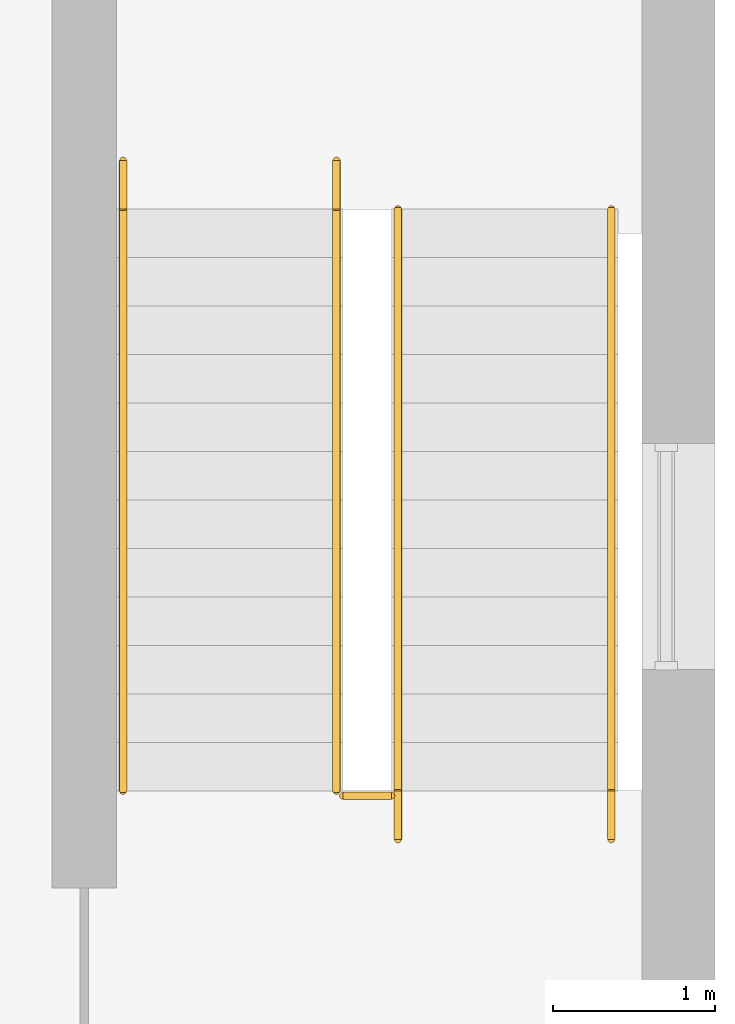
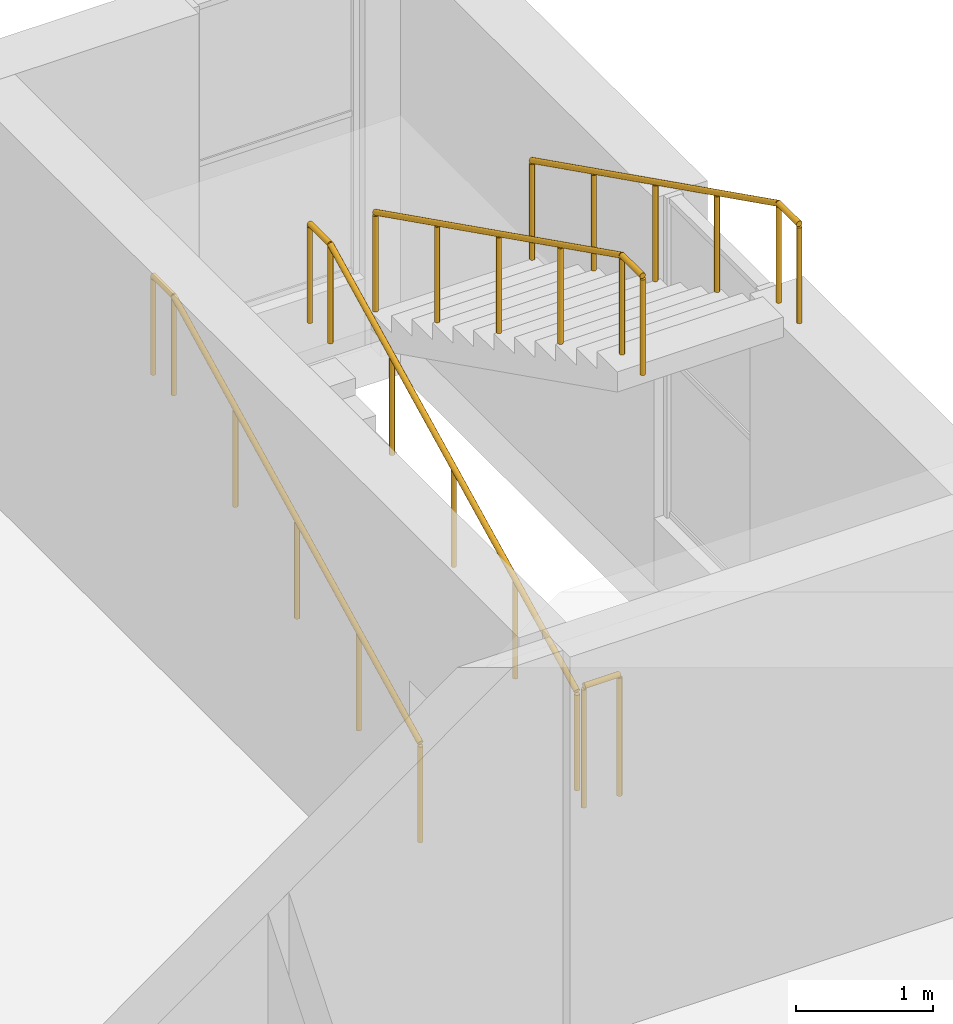
# One storey, part 94 of 94: 5 railings.
"""IFC4 building model written with IfcOpenShell, lengths in metres."""

from ifc_helpers import new_model, si_unit, direction, frame, origin, origin_2d, place, context, subcontext, project, spatial, circle, extrude, material, type_object, element, save


model = new_model("IFC4")

# Units and contexts
model_context = context("Model", 3, precision=1e-05, world=origin(), true_north=direction((0.0, 1.0)))
body_context = subcontext(model_context, "Body", "Model", "MODEL_VIEW")
ifc_project = project(units=[si_unit("LENGTHUNIT", "METRE"), si_unit("AREAUNIT", "SQUARE_METRE"), si_unit("VOLUMEUNIT", "CUBIC_METRE"), si_unit("PLANEANGLEUNIT", "RADIAN"), si_unit("MASSUNIT", "GRAM", prefix="KILO")], contexts=[model_context])

# Site, building, storey
site_placement = place(None, origin())
site = spatial("IfcSite", under=ifc_project, at=site_placement, CompositionType="ELEMENT")
building_placement = place(site_placement, origin())
building = spatial("IfcBuilding", under=site, at=building_placement, Name="Yavir Park General Hospital", CompositionType="ELEMENT")
storey_placement = place(building_placement, frame((0.0, 0.0, 4.5)))
storey = spatial("IfcBuildingStorey", under=building, at=storey_placement, Name="L01", CompositionType="ELEMENT", Elevation=4.5)

# Railings
ifc_material_1 = material(Name="Steel balustrade with infill rods", Category="steel")
railing_type_1 = type_object("IfcRailingType", Name="Stair guard, steel balustrade 1100 mm", PredefinedType="GUARDRAIL", material=ifc_material_1)
railing_placement = place(storey_placement, frame((166.0, 111.570068359375, 0.0)))
element("IfcRailing", 1, at=railing_placement, inside=storey, type_object=railing_type_1, Name="Stair well guard ES3 L01", PredefinedType="GUARDRAIL", context=body_context, shape_type="SweptSolid", body=[
    extrude(circle(Radius=0.02392578125, at=origin_2d()), frame((0.0, 0.0, 1.076171875), z_axis=(1.0, 0.0, 0.0), x_axis=(0.0, 1.0, 0.0)), (0.0, 0.0, 1.0), 0.300048828125),
    extrude(circle(Radius=0.02099609375, at=origin_2d()), origin(), (0.0, 0.0, 1.0), 1.052001953125),
    extrude(circle(Radius=0.02099609375, at=origin_2d()), frame((0.300048828125, 0.0, 0.0)), (0.0, 0.0, 1.0), 1.052001953125),
])
ifc_material_2 = material(Name="Stainless steel tube 48 mm", Category="steel")
railing_type_2 = type_object("IfcRailingType", Name="Stair handrail, steel tube, 900 mm above the nosings", PredefinedType="HANDRAIL", material=ifc_material_2)
for number, where, name in (
    (2, (164.639892578125, 111.60009765625, 0.14990234375), "Handrail ES3 L01 1"),
    (3, (165.9599609375, 111.60009765625, 0.14990234375), "Handrail ES3 L01 2"),
):
    element("IfcRailing", number, at=place(storey_placement, frame(where)), inside=storey, type_object=railing_type_2, Name=name, PredefinedType="HANDRAIL", context=body_context, shape_type="SweptSolid", body=[
        extrude(circle(Radius=0.02392578125, at=origin_2d()), frame((0.0, 0.0, 0.8759765625), z_axis=(0.0, 0.894415058897, 0.447237858884), x_axis=(-1.0, 0.0, 0.0)), (0.0, 0.0, 1.0), 4.02490234375),
        extrude(circle(Radius=0.02392578125, at=origin_2d()), frame((0.0, 3.599853515625, 2.67578125), z_axis=(0.0, 1.0, 0.0), x_axis=(-1.0, 0.0, 0.0)), (0.0, 0.0, 1.0), 0.300048828125),
        extrude(circle(Radius=0.02099609375, at=origin_2d()), origin(), (0.0, 0.0, 1.0), 0.851806640625),
        extrude(circle(Radius=0.02099609375, at=origin_2d()), frame((0.0, 0.89990234375, 0.449951171875)), (0.0, 0.0, 1.0), 0.851806640625),
        extrude(circle(Radius=0.02099609375, at=origin_2d()), frame((0.0, 1.7998046875, 0.89990234375)), (0.0, 0.0, 1.0), 0.851806640625),
        extrude(circle(Radius=0.02099609375, at=origin_2d()), frame((0.0, 2.699951171875, 1.35009765625)), (0.0, 0.0, 1.0), 0.851806640625),
        extrude(circle(Radius=0.02099609375, at=origin_2d()), frame((0.0, 3.599853515625, 1.800048828125)), (0.0, 0.0, 1.0), 0.851806640625),
        extrude(circle(Radius=0.02099609375, at=origin_2d()), frame((0.0, 3.89990234375, 1.800048828125)), (0.0, 0.0, 1.0), 0.851806640625),
    ])
for number, where, name in (
    (4, (167.659912109375, 115.199951171875, 2.10009765625), "Handrail ES3 L01 3"),
    (5, (166.340087890625, 115.199951171875, 2.10009765625), "Handrail ES3 L01 4"),
):
    element("IfcRailing", number, at=place(storey_placement, frame(where)), inside=storey, type_object=railing_type_2, Name=name, PredefinedType="HANDRAIL", context=body_context, shape_type="SweptSolid", body=[
        extrude(circle(Radius=0.02392578125, at=origin_2d()), frame((0.0, 0.0, 0.8759765625), z_axis=(0.0, -0.894439322774, 0.447189331129), x_axis=(1.0, 0.0, 0.0)), (0.0, 0.0, 1.0), 4.024658203125),
        extrude(circle(Radius=0.02392578125, at=origin_2d()), frame((0.0, -3.599853515625, 2.67578125), z_axis=(0.0, -1.0, 0.0), x_axis=(1.0, 0.0, 0.0)), (0.0, 0.0, 1.0), 0.300048828125),
        extrude(circle(Radius=0.02099609375, at=origin_2d()), origin(), (0.0, 0.0, 1.0), 0.851806640625),
        extrude(circle(Radius=0.02099609375, at=origin_2d()), frame((0.0, -0.89990234375, 0.449951171875)), (0.0, 0.0, 1.0), 0.851806640625),
        extrude(circle(Radius=0.02099609375, at=origin_2d()), frame((0.0, -1.7998046875, 0.89990234375)), (0.0, 0.0, 1.0), 0.851806640625),
        extrude(circle(Radius=0.02099609375, at=origin_2d()), frame((0.0, -2.699951171875, 1.349853515625)), (0.0, 0.0, 1.0), 0.851806640625),
        extrude(circle(Radius=0.02099609375, at=origin_2d()), frame((0.0, -3.599853515625, 1.7998046875)), (0.0, 0.0, 1.0), 0.851806640625),
        extrude(circle(Radius=0.02099609375, at=origin_2d()), frame((0.0, -3.89990234375, 1.7998046875)), (0.0, 0.0, 1.0), 0.851806640625),
    ])

save(model, "model.ifc")
